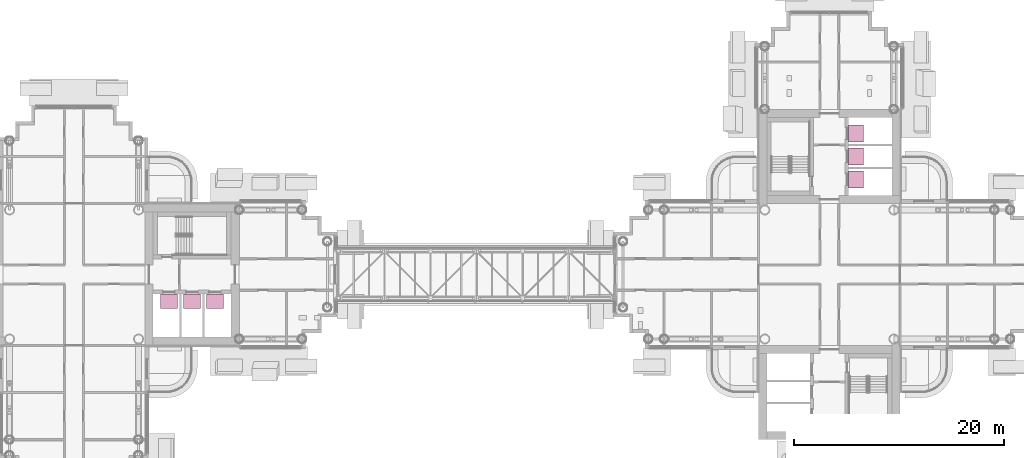
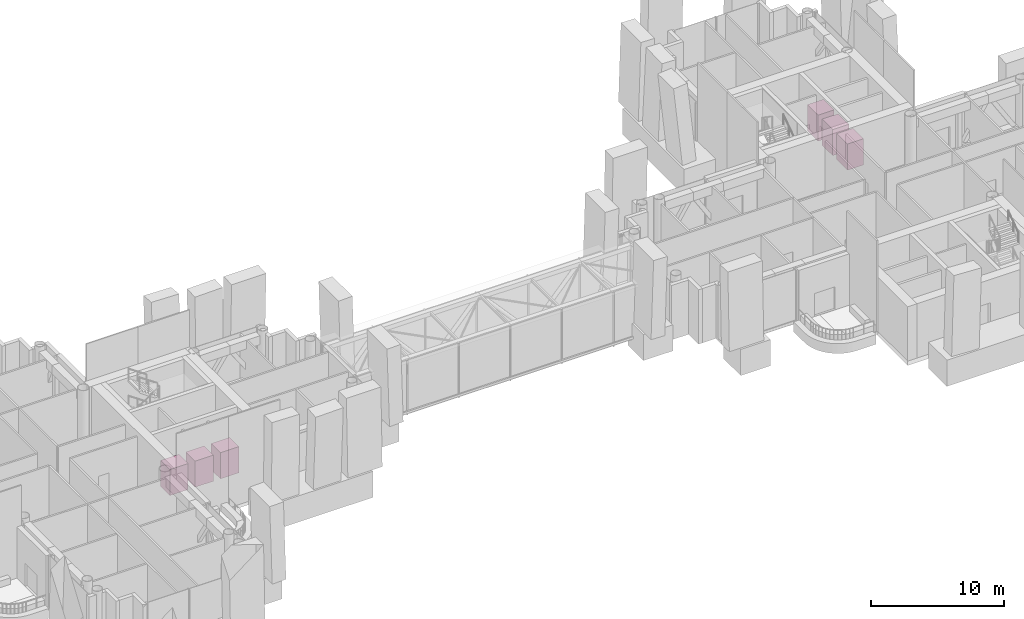
# One storey, part 34 of 34: 6 transport elements.
"""IFC4 building model written with IfcOpenShell, lengths in metres."""

from ifc_helpers import new_model, si_unit, direction, frame, origin, origin_2d, place, context, subcontext, project, spatial, rectangle, extrude, material, type_object, element, save


model = new_model("IFC4")

# Units and contexts
model_context = context("Model", 3, precision=1e-05, world=origin(), true_north=direction((0.0, 1.0)))
body_context = subcontext(model_context, "Body", "Model", "MODEL_VIEW")
ifc_project = project(units=[si_unit("LENGTHUNIT", "METRE"), si_unit("AREAUNIT", "SQUARE_METRE"), si_unit("VOLUMEUNIT", "CUBIC_METRE"), si_unit("PLANEANGLEUNIT", "RADIAN"), si_unit("MASSUNIT", "GRAM", prefix="KILO")], contexts=[model_context])

# Site, building, storey
site_placement = place(None, origin())
site = spatial("IfcSite", under=ifc_project, at=site_placement, CompositionType="ELEMENT")
building_placement = place(site_placement, origin())
building = spatial("IfcBuilding", under=site, at=building_placement, Name="Ipe Terrace Towers", CompositionType="ELEMENT")
storey_placement = place(building_placement, frame((0.0, 0.0, 128.699951171875)))
storey = spatial("IfcBuildingStorey", under=building, at=storey_placement, Name="L35", CompositionType="ELEMENT", Elevation=128.699951171875)

# Transport elements
ifc_material = material(Name="Stainless steel lift car", Category="steel")
transport_element_type = type_object("IfcTransportElementType", Name="Lift car 1600 x 1400 for 1050 kg", PredefinedType="ELEVATOR", material=ifc_material)
for number, where, z_axis, x_axis, name in (
    (1, (-26.949951171875, -2.550048828125, 0.0), (0.0, 0.0, 1.0), (1.0, 0.0, 0.0), "High-rise lift 1 T1"),
    (2, (-24.75, -2.550048828125, 0.0), (0.0, 0.0, 1.0), (1.0, 0.0, 0.0), "High-rise lift 2 T1"),
    (3, (-22.550048828125, -2.550048828125, 0.0), (0.0, 0.0, 1.0), (1.0, 0.0, 0.0), "High-rise lift 3 T1"),
):
    element("IfcTransportElement", number, at=place(storey_placement, frame(where, z_axis=z_axis, x_axis=x_axis)), inside=storey, type_object=transport_element_type, Name=name, PredefinedType="ELEVATOR", context=body_context, shape_type="SweptSolid", body=[
        extrude(rectangle(XDim=1.60009765625, YDim=1.39990234375, at=origin_2d()), origin(), (0.0, 0.0, 1.0), 2.39990234375),
    ])
for number, where, z_axis, x_axis, name in (
    (4, (38.550048828125, 9.050048828125, 0.0), (0.0, 0.0, 1.0), (1.0, 0.0, 0.0), "High-rise lift 1 T2"),
    (5, (38.550048828125, 11.25, 0.0), (0.0, 0.0, 1.0), (1.0, 0.0, 0.0), "High-rise lift 2 T2"),
    (6, (38.550048828125, 13.449951171875, 0.0), (0.0, 0.0, 1.0), (1.0, 0.0, 0.0), "High-rise lift 3 T2"),
):
    element("IfcTransportElement", number, at=place(storey_placement, frame(where, z_axis=z_axis, x_axis=x_axis)), inside=storey, type_object=transport_element_type, Name=name, PredefinedType="ELEVATOR", context=body_context, shape_type="SweptSolid", body=[
        extrude(rectangle(XDim=1.39990234375, YDim=1.60009765625, at=origin_2d()), origin(), (0.0, 0.0, 1.0), 2.39990234375),
    ])

save(model, "model.ifc")
